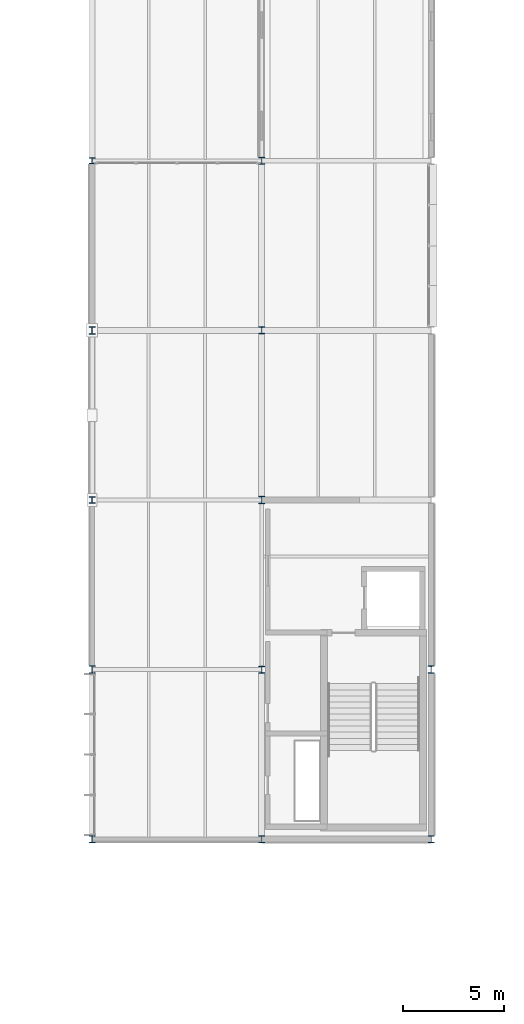
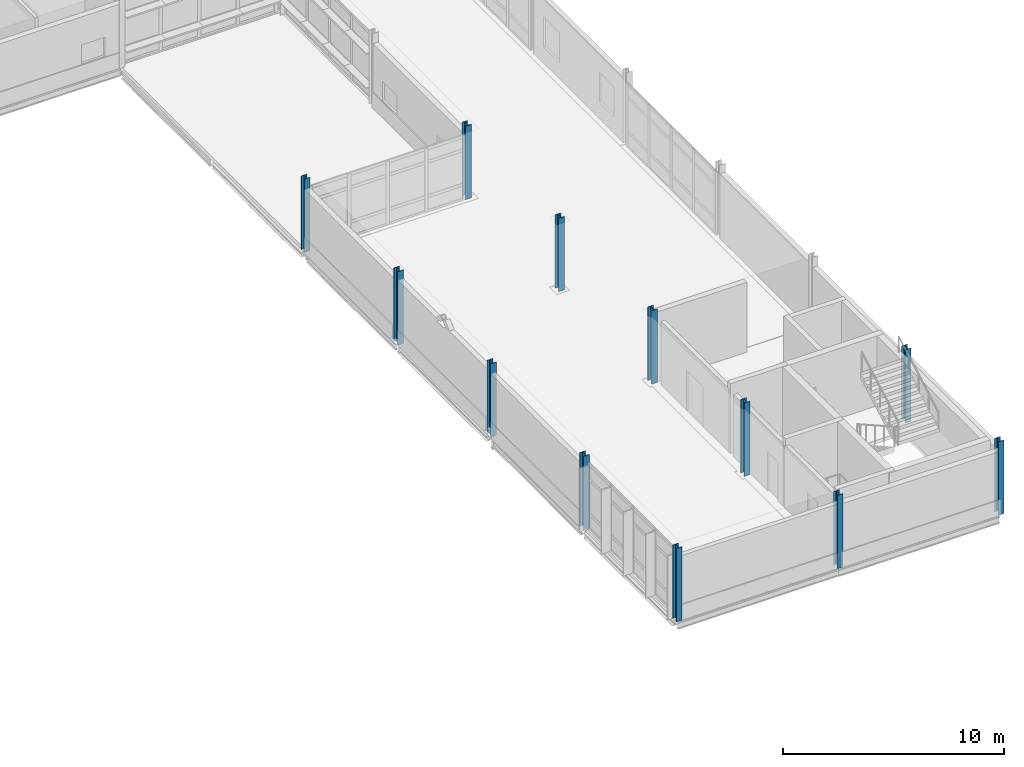
# One storey, part 9 of 103: 12 columns.
"""IFC4 building model written with IfcOpenShell, lengths in metres."""

from ifc_helpers import new_model, si_unit, direction, frame, origin, origin_2d, place, context, subcontext, project, spatial, i_section, extrude, material, material_profile, profile_set, type_object, element, save


model = new_model("IFC4")

# Units and contexts
model_context = context("Model", 3, precision=1e-05, world=origin(), true_north=direction((0.0, 1.0)))
body_context = subcontext(model_context, "Body", "Model", "MODEL_VIEW")
ifc_project = project(units=[si_unit("LENGTHUNIT", "METRE"), si_unit("AREAUNIT", "SQUARE_METRE"), si_unit("VOLUMEUNIT", "CUBIC_METRE"), si_unit("PLANEANGLEUNIT", "RADIAN"), si_unit("MASSUNIT", "GRAM", prefix="KILO")], contexts=[model_context])

# Site, building, storey
site_placement = place(None, origin())
site = spatial("IfcSite", under=ifc_project, at=site_placement, CompositionType="ELEMENT")
building_placement = place(site_placement, origin())
building = spatial("IfcBuilding", under=site, at=building_placement, Name="Mersafa Astral City Hall", CompositionType="ELEMENT")
storey_placement = place(building_placement, frame((0.0, 0.0, 18.0)))
storey = spatial("IfcBuildingStorey", under=building, at=storey_placement, Name="L04", CompositionType="ELEMENT", Elevation=18.0)

# Columns
ifc_material = material(Name="Steel S355", Category="steel")
ifc_material_profile_1 = material_profile(ifc_material, i_section(OverallWidth=0.300048828125, OverallDepth=0.300048828125, WebThickness=0.010986328125, FlangeThickness=0.01904296875, FilletRadius=0.027099609375, at=origin_2d()), Name="HEB 300")
ifc_profile_set_1 = profile_set([ifc_material_profile_1], Name="Steel S355")
column_type_1 = type_object("IfcColumnType", Name="STR-COL-HEB300", PredefinedType="COLUMN", material=ifc_profile_set_1)
column_placement = place(storey_placement, frame((159.60009765625, 84.0, 0.0), z_axis=(0.0, 0.0, 1.0), x_axis=(1.0, 0.0, 0.0)))
element("IfcColumn", 1, at=column_placement, inside=storey, type_object=column_type_1, Name="L04 Structural column G-19-10", PredefinedType="COLUMN", context=body_context, shape_type="SweptSolid", body=[
    extrude(i_section(OverallWidth=0.300048828125, OverallDepth=0.300048828125, WebThickness=0.010986328125, FlangeThickness=0.01904296875, FilletRadius=0.027099609375, at=origin_2d()), origin(), (0.0, 0.0, 1.0), 4.050048828125),
])
ifc_material_profile_2 = material_profile(ifc_material, i_section(OverallWidth=0.300048828125, OverallDepth=0.340087890625, WebThickness=0.011962890625, FlangeThickness=0.021484375, FilletRadius=0.027099609375, at=origin_2d()), Name="HEB 340")
ifc_profile_set_2 = profile_set([ifc_material_profile_2], Name="Steel S355")
column_type_2 = type_object("IfcColumnType", Name="STR-COL-HEB340", PredefinedType="COLUMN", material=ifc_profile_set_2)
for number, where, z_axis, x_axis, name in (
    (2, (159.60009765625, 50.39990234375, 0.0), (0.0, 0.0, 1.0), (1.0, 0.0, 0.0), "L04 Structural column G-19-06"),
    (3, (159.60009765625, 67.199951171875, 0.0), (0.0, 0.0, 1.0), (1.0, 0.0, 0.0), "L04 Structural column G-19-08"),
    (4, (168.0, 58.800048828125, 0.0), (0.0, 0.0, 1.0), (1.0, 0.0, 0.0), "L04 Structural column G-20-07"),
    (5, (168.0, 75.60009765625, 0.0), (0.0, 0.0, 1.0), (1.0, 0.0, 0.0), "L04 Structural column G-20-09"),
    (6, (176.39990234375, 50.39990234375, 0.0), (0.0, 0.0, 1.0), (1.0, 0.0, 0.0), "L04 Structural column G-21-06"),
):
    element("IfcColumn", number, at=place(storey_placement, frame(where, z_axis=z_axis, x_axis=x_axis)), inside=storey, type_object=column_type_2, Name=name, PredefinedType="COLUMN", context=body_context, shape_type="SweptSolid", body=[
        extrude(i_section(OverallWidth=0.300048828125, OverallDepth=0.340087890625, WebThickness=0.011962890625, FlangeThickness=0.021484375, FilletRadius=0.027099609375, at=origin_2d()), origin(), (0.0, 0.0, 1.0), 4.050048828125),
    ])
ifc_material_profile_3 = material_profile(ifc_material, i_section(OverallWidth=0.300048828125, OverallDepth=0.360107421875, WebThickness=0.012451171875, FlangeThickness=0.0224609375, FilletRadius=0.027099609375, at=origin_2d()), Name="HEB 360")
ifc_profile_set_3 = profile_set([ifc_material_profile_3], Name="Steel S355")
column_type_3 = type_object("IfcColumnType", Name="STR-COL-HEB360", PredefinedType="COLUMN", material=ifc_profile_set_3)
for number, where, z_axis, x_axis, name in (
    (7, (159.60009765625, 58.800048828125, 0.0), (0.0, 0.0, 1.0), (1.0, 0.0, 0.0), "L04 Structural column G-19-07"),
    (8, (159.60009765625, 75.60009765625, 0.0), (0.0, 0.0, 1.0), (1.0, 0.0, 0.0), "L04 Structural column G-19-09"),
    (9, (168.0, 50.39990234375, 0.0), (0.0, 0.0, 1.0), (1.0, 0.0, 0.0), "L04 Structural column G-20-06"),
    (10, (168.0, 67.199951171875, 0.0), (0.0, 0.0, 1.0), (1.0, 0.0, 0.0), "L04 Structural column G-20-08"),
    (11, (168.0, 84.0, 0.0), (0.0, 0.0, 1.0), (1.0, 0.0, 0.0), "L04 Structural column G-20-10"),
    (12, (176.39990234375, 58.800048828125, 0.0), (0.0, 0.0, 1.0), (1.0, 0.0, 0.0), "L04 Structural column G-21-07"),
):
    element("IfcColumn", number, at=place(storey_placement, frame(where, z_axis=z_axis, x_axis=x_axis)), inside=storey, type_object=column_type_3, Name=name, PredefinedType="COLUMN", context=body_context, shape_type="SweptSolid", body=[
        extrude(i_section(OverallWidth=0.300048828125, OverallDepth=0.360107421875, WebThickness=0.012451171875, FlangeThickness=0.0224609375, FilletRadius=0.027099609375, at=origin_2d()), origin(), (0.0, 0.0, 1.0), 4.050048828125),
    ])

save(model, "model.ifc")
